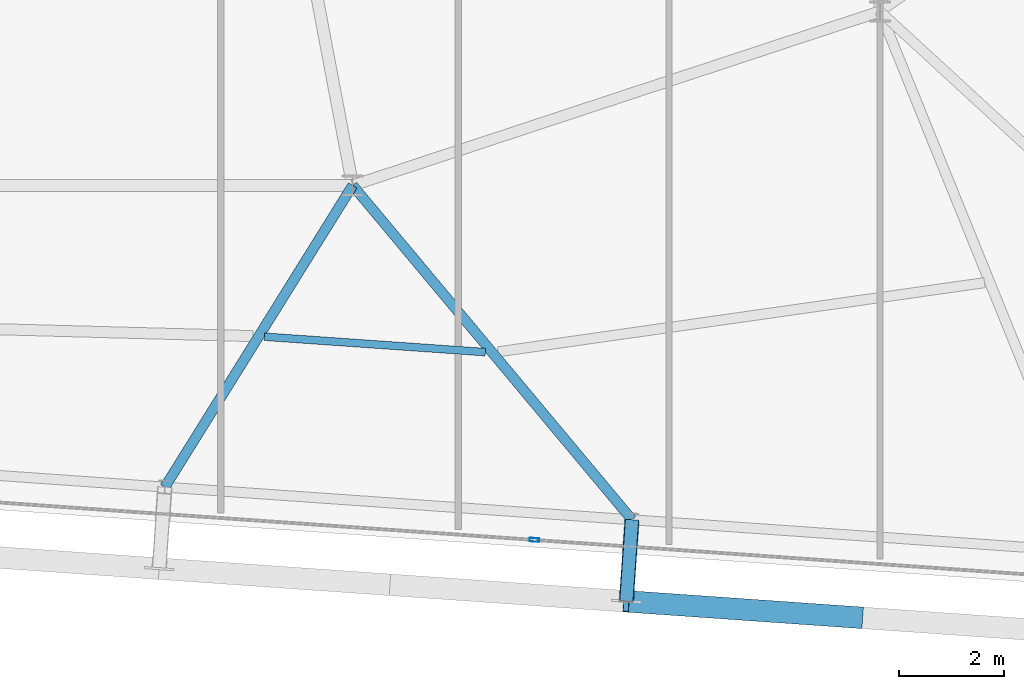
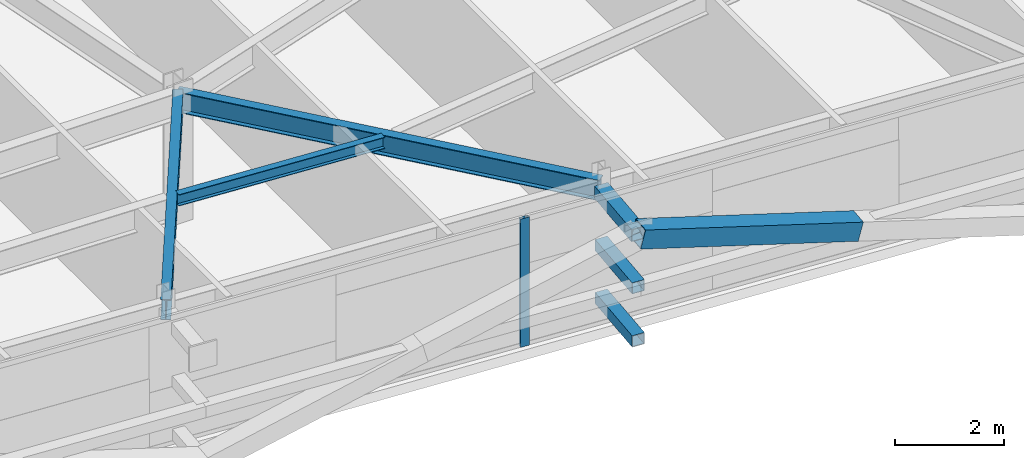
# One storey, part 13 of 39: 5 members, 3 beams, 1 element without a shape of its own.
"""IFC4 building model written with IfcOpenShell, lengths in metres."""

from ifc_helpers import new_model, si_unit, direction, frame, origin, origin_2d, place, context, subcontext, project, spatial, hollow_rectangle, i_section, extrude, source, transform, mapped, material, layer, layer_set, material_profile, profile_set, type_object, element, aggregate, save


model = new_model("IFC4")

# Units and contexts
model_context = context("Model", 3, precision=1e-05, world=origin(), true_north=direction((0.0, 1.0)))
body_context = subcontext(model_context, "Body", "Model", "MODEL_VIEW")
ifc_project = project(units=[si_unit("LENGTHUNIT", "METRE"), si_unit("AREAUNIT", "SQUARE_METRE"), si_unit("VOLUMEUNIT", "CUBIC_METRE"), si_unit("PLANEANGLEUNIT", "RADIAN"), si_unit("MASSUNIT", "GRAM", prefix="KILO")], contexts=[model_context])

# Site, building, storey
site_placement = place(None, origin())
site = spatial("IfcSite", under=ifc_project, at=site_placement, CompositionType="ELEMENT")
building_placement = place(site_placement, origin())
building = spatial("IfcBuilding", under=site, at=building_placement, Name="Taldren Reach Tower", CompositionType="ELEMENT")
storey_placement = place(building_placement, frame((0.0, 0.0, 161.35009765625)))
storey = spatial("IfcBuildingStorey", under=building, at=storey_placement, Name="L49", CompositionType="ELEMENT", Elevation=161.35009765625)

# Members
ifc_material_1 = material(Name="Steel Gr 450 (C450L0)", Category="steel")
ifc_material_profile_1 = material_profile(ifc_material_1, hollow_rectangle(XDim=0.27490234375, YDim=0.27490234375, WallThickness=0.00927734375, at=origin_2d()), Name="275x275x9.3SHS")
ifc_profile_set_1 = profile_set([ifc_material_profile_1], Name="Steel Gr 450 (C450L0)")
member_type_1 = type_object("IfcMemberType", Name="MB-TIE273", PredefinedType="STRUT", material=ifc_profile_set_1)
shared_shape_1 = source(origin(), body_context, "Body", "SweptSolid", [
    extrude(hollow_rectangle(XDim=0.27490234375, YDim=0.27490234375, WallThickness=0.00927734375, at=origin_2d()), origin(), (0.0, 0.0, 1.0), 1.5498046875),
])
member_1_placement = place(storey_placement, frame((47.297119140625, 2.860595703125, 2.58984375), z_axis=(-0.069780535098, -0.997562367434, 0.0), x_axis=(0.997562367434, -0.069780535098, 0.0)))
element("IfcMember", 1, at=member_1_placement, inside=storey, type_object=member_type_1, Name="Exoskeleton diaphragm tie strut B3-S5 L49", PredefinedType="STRUT", context=body_context, shape_type="MappedRepresentation", body=[
    mapped(shared_shape_1, transform((0.0, 0.0, 0.0), scale=1.0)),
])
ifc_material_2 = material(Name="Steel Gr 350 (C350L0)", Category="steel")
ifc_material_profile_2 = material_profile(ifc_material_2, hollow_rectangle(XDim=0.25, YDim=0.25, WallThickness=0.010009765625, at=origin_2d()), Name="250x250x10.0SHS")
ifc_profile_set_2 = profile_set([ifc_material_profile_2], Name="Steel Gr 350 (C350L0)")
member_type_2 = type_object("IfcMemberType", Name="MB-POST250", PredefinedType="POST", material=ifc_profile_set_2)
shared_shape_2 = source(origin(), body_context, "Body", "SweptSolid", [
    extrude(hollow_rectangle(XDim=0.25, YDim=0.25, WallThickness=0.010009765625, at=origin_2d()), origin(), (0.0, 0.0, 1.0), 1.5498046875),
])
for number, where, z_axis, x_axis, name in (
    (2, (47.297119140625, 2.860595703125, 0.219970703125), (-0.069780535098, -0.997562367434, 0.0), (0.997562367434, -0.069780535098, 0.0), "Exoskeleton base diaphragm tie strut B3-S5 L49"),
    (3, (47.297119140625, 2.860595703125, 1.40478515625), (-0.069780535098, -0.997562367434, 0.0), (0.997562367434, -0.069780535098, 0.0), "Exoskeleton mid-tier diaphragm tie B3-S5 L49"),
):
    element("IfcMember", number, at=place(storey_placement, frame(where, z_axis=z_axis, x_axis=x_axis)), inside=storey, type_object=member_type_2, Name=name, PredefinedType="POST", context=body_context, shape_type="MappedRepresentation", body=[
        mapped(shared_shape_2, transform((0.0, 0.0, 0.0), scale=1.0)),
    ])

# Beams
ifc_material_3 = material(Name="Steel Gr 350 (350PLUS)", Category="steel")
ifc_material_profile_3 = material_profile(ifc_material_3, i_section(OverallWidth=0.19091796875, OverallDepth=0.4599609375, WebThickness=0.010009765625, FlangeThickness=0.01611328125, at=origin_2d()), Name="460UB82.1")
ifc_profile_set_3 = profile_set([ifc_material_profile_3], Name="Steel Gr 350 (350PLUS)")
beam_type_1 = type_object("IfcBeamType", Name="BM-UB460A", PredefinedType="BEAM", material=ifc_profile_set_3)
shared_shape_3 = source(origin(), body_context, "Body", "SweptSolid", [
    extrude(i_section(OverallWidth=0.19091796875, OverallDepth=0.4599609375, WebThickness=0.010009765625, FlangeThickness=0.01611328125, at=origin_2d()), origin(), (0.0, 0.0, 1.0), 6.73779296875),
])
beam_1_placement = place(storey_placement, frame((42.0, 9.199951171875, 2.639892578125), z_axis=(-0.528552048024, -0.848900896765, 0.0), x_axis=(0.848900896765, -0.528552048024, 0.0)))
element("IfcBeam", 4, at=beam_1_placement, inside=storey, type_object=beam_type_1, Name="Primary floor girder B3-S4 L49", PredefinedType="BEAM", context=body_context, shape_type="MappedRepresentation", body=[
    mapped(shared_shape_3, transform((0.0, 0.0, 0.0), scale=1.0)),
])
shared_shape_4 = source(origin(), body_context, "Body", "SweptSolid", [
    extrude(i_section(OverallWidth=0.19091796875, OverallDepth=0.4599609375, WebThickness=0.010009765625, FlangeThickness=0.01611328125, at=origin_2d()), origin(), (0.0, 0.0, 1.0), 8.26123046875),
])
beam_2_placement = place(storey_placement, frame((42.0, 9.199951171875, 2.639892578125), z_axis=(0.64120703686, -0.767367927322, 0.0), x_axis=(0.767367927322, 0.64120703686, 0.0)))
element("IfcBeam", 5, at=beam_2_placement, inside=storey, type_object=beam_type_1, Name="Primary floor girder B3-S5 L49", PredefinedType="BEAM", context=body_context, shape_type="MappedRepresentation", body=[
    mapped(shared_shape_4, transform((0.0, 0.0, 0.0), scale=1.0)),
])
ifc_material_4 = material(Name="Steel Gr 300 (300PLUS, 300 MPa)", Category="steel")
ifc_material_profile_4 = material_profile(ifc_material_4, i_section(OverallWidth=0.14599609375, OverallDepth=0.256103515625, WebThickness=0.00634765625, FlangeThickness=0.010986328125, at=origin_2d()), Name="250UB37.3")
ifc_profile_set_4 = profile_set([ifc_material_profile_4], Name="Steel Gr 300 (300PLUS, 300 MPa)")
beam_type_2 = type_object("IfcBeamType", Name="JS-UB250", PredefinedType="JOIST", material=ifc_profile_set_4)
shared_shape_5 = source(origin(), body_context, "Body", "SweptSolid", [
    extrude(i_section(OverallWidth=0.14599609375, OverallDepth=0.256103515625, WebThickness=0.00634765625, FlangeThickness=0.010986328125, at=origin_2d()), origin(), (0.0, 0.0, 1.0), 4.199462890625),
])
beam_3_placement = place(storey_placement, frame((40.3271484375, 6.33251953125, 2.741943359375), z_axis=(0.99756354117, -0.069763753681, 0.0), x_axis=(0.069763753681, 0.99756354117, 0.0)))
element("IfcBeam", 6, at=beam_3_placement, inside=storey, type_object=beam_type_2, Name="Secondary floor joist B3 J4 L49", PredefinedType="JOIST", context=body_context, shape_type="MappedRepresentation", body=[
    mapped(shared_shape_5, transform((0.0, 0.0, 0.0), scale=1.0)),
])

# Member
ifc_material_profile_5 = material_profile(ifc_material_1, hollow_rectangle(XDim=0.409912109375, YDim=0.409912109375, WallThickness=0.01611328125, at=origin_2d()), Name="410x410x16.0SHS")
ifc_profile_set_5 = profile_set([ifc_material_profile_5], Name="Steel Gr 450 (C450L0)")
member_type_3 = type_object("IfcMemberType", Name="MB-EXO406", PredefinedType="BRACE", material=ifc_profile_set_5)
shared_shape_6 = source(origin(), body_context, "Body", "SweptSolid", [
    extrude(hollow_rectangle(XDim=0.409912109375, YDim=0.409912109375, WallThickness=0.01611328125, at=origin_2d()), origin(), (0.0, 0.0, 1.0), 4.595458984375),
])
member_2_placement = place(storey_placement, frame((51.6181640625, 1.004638671875, 1.40478515625), z_axis=(-0.96382288138, 0.067417662687, 0.257876544274), x_axis=(-0.06977769246, -0.997562566276, 0.0)))
element("IfcMember", 7, at=member_2_placement, inside=storey, type_object=member_type_3, Name="Exoskeleton Diagrid Brace B3-S5 L49", PredefinedType="BRACE", context=body_context, shape_type="MappedRepresentation", body=[
    mapped(shared_shape_6, transform((0.0, 0.0, 0.0), scale=1.0)),
])

# Curtain wall, member
ifc_material_5 = material(Name="Aluminium and Low-E Glass Unitised System", Category="aluminium")
ifc_layer = layer(ifc_material_5, 0.159912109375)
ifc_layer_set = layer_set([ifc_layer], Name="Aluminium and Low-E Glass Unitised System")
curtain_wall_type = type_object("IfcCurtainWallType", Name="CW-SYS-4", PredefinedType="NOTDEFINED", material=ifc_layer_set)
curtain_wall_placement = place(storey_placement, origin())
curtain_wall = element("IfcCurtainWall", 8, at=curtain_wall_placement, inside=storey, type_object=curtain_wall_type, Name="Unitised curtain wall CW-L49-S", PredefinedType="NOTDEFINED")
ifc_material_6 = material(Name="Anodised Aluminium 6063-T6", Category="aluminium")
ifc_material_profile_6 = material_profile(ifc_material_6, hollow_rectangle(XDim=0.070068359375, YDim=0.179931640625, WallThickness=0.00390625, at=origin_2d()), Name="ALU-180x70x4RHS")
ifc_profile_set_6 = profile_set([ifc_material_profile_6], Name="Anodised Aluminium 6063-T6")
member_type_4 = type_object("IfcMemberType", Name="CW-MUL-180", PredefinedType="MULLION", material=ifc_profile_set_6)
shared_shape_7 = source(origin(), body_context, "Body", "SweptSolid", [
    extrude(hollow_rectangle(XDim=0.070068359375, YDim=0.179931640625, WallThickness=0.00390625, at=origin_2d()), origin(), (0.0, 0.0, 1.0), 2.869873046875),
])
member_3_placement = place(storey_placement, frame((45.44580078125, 2.478759765625, 0.0), z_axis=(0.0, 0.0, 1.0), x_axis=(0.06975651593, 0.99756404731, 0.0)))
member_3 = element("IfcMember", 9, at=member_3_placement, type_object=member_type_4, Name="CW-4 mullion 4", PredefinedType="MULLION", context=body_context, shape_type="MappedRepresentation", body=[
    mapped(shared_shape_7, transform((0.0, 0.0, 0.0), scale=1.0)),
])
aggregate(curtain_wall, [member_3])

save(model, "model.ifc")
